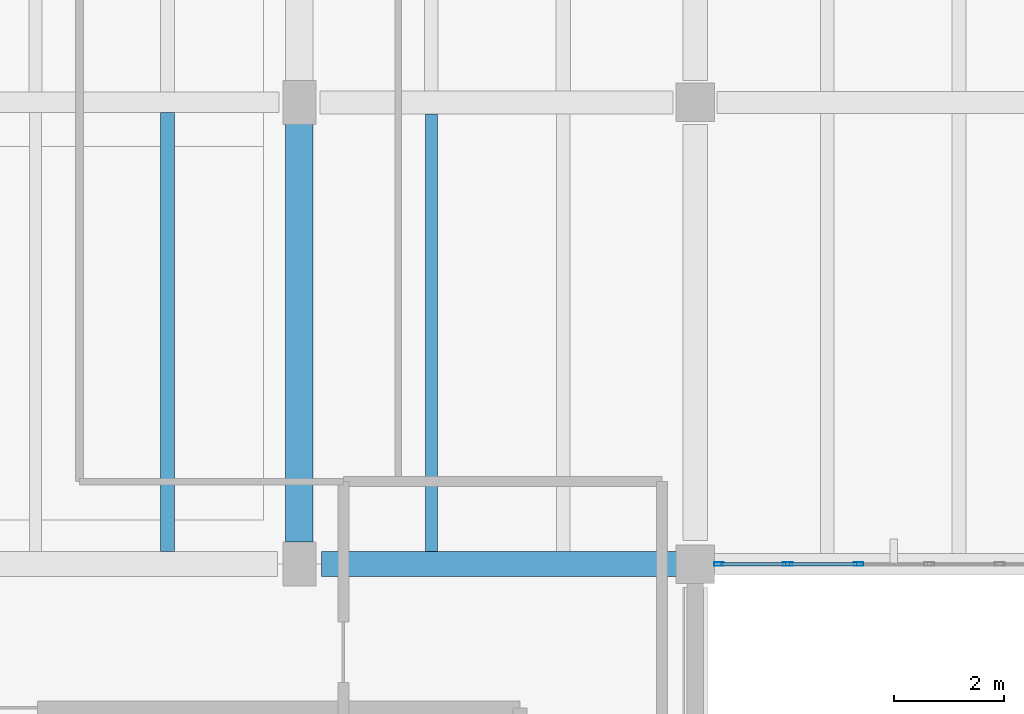
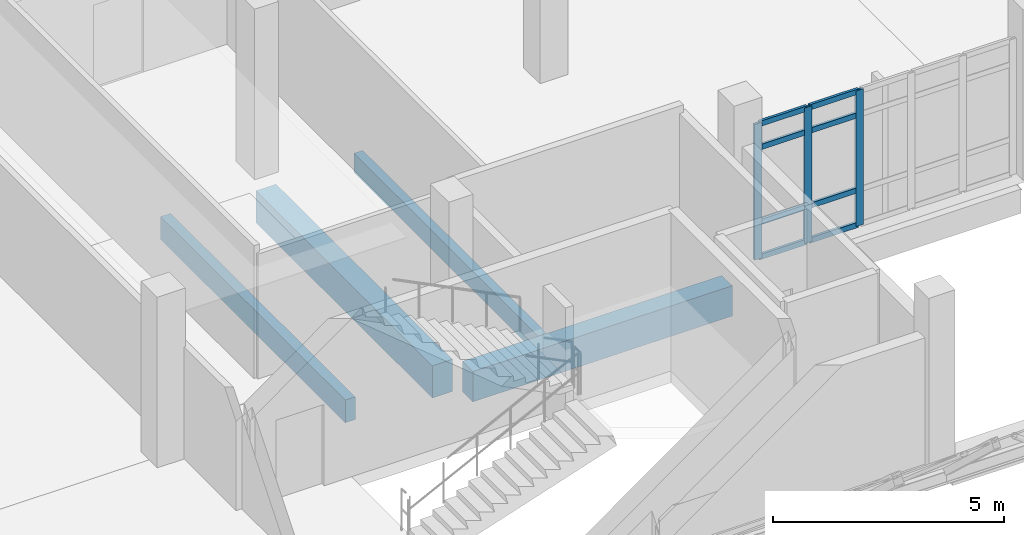
# One storey, part 40 of 87: 11 members, 4 beams, 1 element without a shape of its own.
"""IFC4 building model written with IfcOpenShell, lengths in metres."""

from ifc_helpers import new_model, si_unit, direction, frame, origin, origin_2d, place, context, subcontext, project, spatial, rectangle, hollow_rectangle, extrude, material, material_profile, profile_set, type_object, element, aggregate, save


model = new_model("IFC4")

# Units and contexts
model_context = context("Model", 3, precision=1e-05, world=origin(), true_north=direction((0.0, 1.0)))
body_context = subcontext(model_context, "Body", "Model", "MODEL_VIEW")
ifc_project = project(units=[si_unit("LENGTHUNIT", "METRE"), si_unit("AREAUNIT", "SQUARE_METRE"), si_unit("VOLUMEUNIT", "CUBIC_METRE"), si_unit("PLANEANGLEUNIT", "RADIAN"), si_unit("MASSUNIT", "GRAM", prefix="KILO")], contexts=[model_context])

# Site, building, storey
site_placement = place(None, origin())
site = spatial("IfcSite", under=ifc_project, at=site_placement, CompositionType="ELEMENT")
building_placement = place(site_placement, origin())
building = spatial("IfcBuilding", under=site, at=building_placement, Name="Kalluvel Institute of Natural Sciences", CompositionType="ELEMENT")
storey_placement = place(building_placement, frame((0.0, 0.0, 18.89990234375)))
storey = spatial("IfcBuildingStorey", under=building, at=storey_placement, Name="L04", CompositionType="ELEMENT", Elevation=18.89990234375)

# Beams
ifc_material_1 = material(Name="Concrete M40", Category="concrete")
ifc_material_profile_1 = material_profile(ifc_material_1, rectangle(XDim=0.449951171875, YDim=0.800048828125, at=origin_2d()), Name="RCB 450x800")
ifc_profile_set_1 = profile_set([ifc_material_profile_1], Name="Concrete M40")
beam_type_1 = type_object("IfcBeamType", Name="BM-RC450x800", PredefinedType="BEAM", material=ifc_profile_set_1)
beam_1_placement = place(storey_placement, frame((50.39990234375, 102.800048828125, -0.719970703125), z_axis=(1.0, 0.0, 0.0), x_axis=(0.0, 1.0, 0.0)))
element("IfcBeam", 1, at=beam_1_placement, inside=storey, type_object=beam_type_1, Name="L04 girder GIR-L04-EW-X500-Y1028", PredefinedType="BEAM", context=body_context, shape_type="SweptSolid", body=[
    extrude(rectangle(XDim=0.449951171875, YDim=0.800048828125, at=origin_2d()), origin(), (0.0, 0.0, 1.0), 6.47509765625),
])
ifc_material_2 = material(Name="Concrete M50", Category="concrete")
ifc_material_profile_2 = material_profile(ifc_material_2, rectangle(XDim=0.5, YDim=0.85009765625, at=origin_2d()), Name="RCB 500x850")
ifc_profile_set_2 = profile_set([ifc_material_profile_2], Name="Concrete M50")
beam_type_2 = type_object("IfcBeamType", Name="BM-RC500x850", PredefinedType="BEAM", material=ifc_profile_set_2)
beam_2_placement = place(storey_placement, frame((50.0, 103.199951171875, -0.744873046875), z_axis=(0.0, 1.0, 0.0), x_axis=(-1.0, 0.0, 0.0)))
element("IfcBeam", 2, at=beam_2_placement, inside=storey, type_object=beam_type_2, Name="L04 girder GIR-L04-NS-X500-Y1028", PredefinedType="BEAM", context=body_context, shape_type="SweptSolid", body=[
    extrude(rectangle(XDim=0.5, YDim=0.85009765625, at=origin_2d()), origin(), (0.0, 0.0, 1.0), 7.625),
])

# Curtain wall, members
ifc_material_3 = material(Name="Aluminium AW-6063 T6", Category="aluminium")
curtain_wall_type = type_object("IfcCurtainWallType", Name="CW-WET-45", PredefinedType="USERDEFINED", material=ifc_material_3)
curtain_wall_placement = place(storey_placement, origin())
curtain_wall = element("IfcCurtainWall", 3, at=curtain_wall_placement, inside=storey, type_object=curtain_wall_type, Name="L04 Gothic lancet curtain wall CWA-L04-X576-Y1028", ObjectType="UNITISED LANCET FACADE", PredefinedType="USERDEFINED")
ifc_material_profile_3 = material_profile(ifc_material_3, hollow_rectangle(XDim=0.06494140625, YDim=0.179931640625, WallThickness=0.00439453125, at=origin_2d()), Name="CWM 65x180")
ifc_profile_set_3 = profile_set([ifc_material_profile_3], Name="Aluminium AW-6063 T6")
member_type_1 = type_object("IfcMemberType", Name="CWM-65x180", PredefinedType="MULLION", material=ifc_profile_set_3)
member_1_placement = place(storey_placement, frame((57.632568359375, 102.800048828125, 0.0), z_axis=(0.0, 0.0, 1.0), x_axis=(0.0, 1.0, 0.0)))
member_1 = element("IfcMember", 4, at=member_1_placement, type_object=member_type_1, Name="CW-01 mullion 1", PredefinedType="MULLION", context=body_context, shape_type="SweptSolid", body=[
    extrude(hollow_rectangle(XDim=0.06494140625, YDim=0.179931640625, WallThickness=0.00439453125, at=origin_2d()), origin(), (0.0, 0.0, 1.0), 3.580078125),
])
member_2_placement = place(storey_placement, frame((58.885009765625, 102.800048828125, 0.0), z_axis=(0.0, 0.0, 1.0), x_axis=(0.0, 1.0, 0.0)))
member_2 = element("IfcMember", 5, at=member_2_placement, type_object=member_type_1, Name="CW-01 mullion 2", PredefinedType="MULLION", context=body_context, shape_type="SweptSolid", body=[
    extrude(hollow_rectangle(XDim=0.06494140625, YDim=0.179931640625, WallThickness=0.00439453125, at=origin_2d()), origin(), (0.0, 0.0, 1.0), 3.580078125),
])
member_3_placement = place(storey_placement, frame((60.169921875, 102.800048828125, 0.0), z_axis=(0.0, 0.0, 1.0), x_axis=(0.0, 1.0, 0.0)))
member_3 = element("IfcMember", 6, at=member_3_placement, type_object=member_type_1, Name="CW-01 mullion 3", PredefinedType="MULLION", context=body_context, shape_type="SweptSolid", body=[
    extrude(hollow_rectangle(XDim=0.06494140625, YDim=0.179931640625, WallThickness=0.00439453125, at=origin_2d()), origin(), (0.0, 0.0, 1.0), 3.580078125),
])
ifc_material_profile_4 = material_profile(ifc_material_3, hollow_rectangle(XDim=0.06494140625, YDim=0.139892578125, WallThickness=0.00439453125, at=origin_2d()), Name="CWT 65x140")
ifc_profile_set_4 = profile_set([ifc_material_profile_4], Name="Aluminium AW-6063 T6")
member_type_2 = type_object("IfcMemberType", Name="CWT-65x140", PredefinedType="USERDEFINED", material=ifc_profile_set_4)
member_4_placement = place(storey_placement, frame((57.6650390625, 102.800048828125, 0.03271484375), z_axis=(1.0, 0.0, 0.0), x_axis=(0.0, 1.0, 0.0)))
member_4 = element("IfcMember", 7, at=member_4_placement, type_object=member_type_2, Name="CW-01 transom 1.1", ObjectType="TRANSOM", PredefinedType="USERDEFINED", context=body_context, shape_type="SweptSolid", body=[
    extrude(hollow_rectangle(XDim=0.06494140625, YDim=0.139892578125, WallThickness=0.00439453125, at=origin_2d()), origin(), (0.0, 0.0, 1.0), 1.1875),
])
member_5_placement = place(storey_placement, frame((57.6650390625, 102.800048828125, 0.9501953125), z_axis=(1.0, 0.0, 0.0), x_axis=(0.0, 1.0, 0.0)))
member_5 = element("IfcMember", 8, at=member_5_placement, type_object=member_type_2, Name="CW-01 transom 1.2", ObjectType="TRANSOM", PredefinedType="USERDEFINED", context=body_context, shape_type="SweptSolid", body=[
    extrude(hollow_rectangle(XDim=0.06494140625, YDim=0.139892578125, WallThickness=0.00439453125, at=origin_2d()), origin(), (0.0, 0.0, 1.0), 1.1875),
])
member_6_placement = place(storey_placement, frame((57.6650390625, 102.800048828125, 2.93017578125), z_axis=(1.0, 0.0, 0.0), x_axis=(0.0, 1.0, 0.0)))
member_6 = element("IfcMember", 9, at=member_6_placement, type_object=member_type_2, Name="CW-01 transom 1.3", ObjectType="TRANSOM", PredefinedType="USERDEFINED", context=body_context, shape_type="SweptSolid", body=[
    extrude(hollow_rectangle(XDim=0.06494140625, YDim=0.139892578125, WallThickness=0.00439453125, at=origin_2d()), origin(), (0.0, 0.0, 1.0), 1.1875),
])
member_7_placement = place(storey_placement, frame((57.6650390625, 102.800048828125, 3.547607421875), z_axis=(1.0, 0.0, 0.0), x_axis=(0.0, 1.0, 0.0)))
member_7 = element("IfcMember", 10, at=member_7_placement, type_object=member_type_2, Name="CW-01 transom 1.4", ObjectType="TRANSOM", PredefinedType="USERDEFINED", context=body_context, shape_type="SweptSolid", body=[
    extrude(hollow_rectangle(XDim=0.06494140625, YDim=0.139892578125, WallThickness=0.00439453125, at=origin_2d()), origin(), (0.0, 0.0, 1.0), 1.1875),
])
member_8_placement = place(storey_placement, frame((58.91748046875, 102.800048828125, 0.03271484375), z_axis=(1.0, 0.0, 0.0), x_axis=(0.0, 1.0, 0.0)))
member_8 = element("IfcMember", 11, at=member_8_placement, type_object=member_type_2, Name="CW-01 transom 2.1", ObjectType="TRANSOM", PredefinedType="USERDEFINED", context=body_context, shape_type="SweptSolid", body=[
    extrude(hollow_rectangle(XDim=0.06494140625, YDim=0.139892578125, WallThickness=0.00439453125, at=origin_2d()), origin(), (0.0, 0.0, 1.0), 1.219970703125),
])
member_9_placement = place(storey_placement, frame((58.91748046875, 102.800048828125, 0.9501953125), z_axis=(1.0, 0.0, 0.0), x_axis=(0.0, 1.0, 0.0)))
member_9 = element("IfcMember", 12, at=member_9_placement, type_object=member_type_2, Name="CW-01 transom 2.2", ObjectType="TRANSOM", PredefinedType="USERDEFINED", context=body_context, shape_type="SweptSolid", body=[
    extrude(hollow_rectangle(XDim=0.06494140625, YDim=0.139892578125, WallThickness=0.00439453125, at=origin_2d()), origin(), (0.0, 0.0, 1.0), 1.219970703125),
])
member_10_placement = place(storey_placement, frame((58.91748046875, 102.800048828125, 2.93017578125), z_axis=(1.0, 0.0, 0.0), x_axis=(0.0, 1.0, 0.0)))
member_10 = element("IfcMember", 13, at=member_10_placement, type_object=member_type_2, Name="CW-01 transom 2.3", ObjectType="TRANSOM", PredefinedType="USERDEFINED", context=body_context, shape_type="SweptSolid", body=[
    extrude(hollow_rectangle(XDim=0.06494140625, YDim=0.139892578125, WallThickness=0.00439453125, at=origin_2d()), origin(), (0.0, 0.0, 1.0), 1.219970703125),
])
member_11_placement = place(storey_placement, frame((58.91748046875, 102.800048828125, 3.547607421875), z_axis=(1.0, 0.0, 0.0), x_axis=(0.0, 1.0, 0.0)))
member_11 = element("IfcMember", 14, at=member_11_placement, type_object=member_type_2, Name="CW-01 transom 2.4", ObjectType="TRANSOM", PredefinedType="USERDEFINED", context=body_context, shape_type="SweptSolid", body=[
    extrude(hollow_rectangle(XDim=0.06494140625, YDim=0.139892578125, WallThickness=0.00439453125, at=origin_2d()), origin(), (0.0, 0.0, 1.0), 1.219970703125),
])
aggregate(curtain_wall, [member_1, member_2, member_3, member_4, member_5, member_6, member_7, member_8, member_9, member_10, member_11])

# Beams
ifc_material_profile_5 = material_profile(ifc_material_1, rectangle(XDim=0.219970703125, YDim=0.5, at=origin_2d()), Name="WAF 220x500")
ifc_profile_set_5 = profile_set([ifc_material_profile_5], Name="Concrete M40")
beam_type_3 = type_object("IfcBeamType", Name="WJ-220x500", PredefinedType="JOIST", material=ifc_profile_set_5)
beam_3_placement = place(storey_placement, frame((52.39990234375, 103.02490234375, -0.56982421875), z_axis=(0.0, 1.0, 0.0), x_axis=(-1.0, 0.0, 0.0)))
element("IfcBeam", 15, at=beam_3_placement, inside=storey, type_object=beam_type_3, Name="L04 waffle joist RIB-L04-0319", PredefinedType="JOIST", context=body_context, shape_type="SweptSolid", body=[
    extrude(rectangle(XDim=0.219970703125, YDim=0.5, at=origin_2d()), origin(), (0.0, 0.0, 1.0), 7.965087890625),
])
ifc_material_profile_6 = material_profile(ifc_material_1, rectangle(XDim=0.25, YDim=0.60009765625, at=origin_2d()), Name="WAF 250x600")
ifc_profile_set_6 = profile_set([ifc_material_profile_6], Name="Concrete M40")
beam_type_4 = type_object("IfcBeamType", Name="WJ-250x600", PredefinedType="JOIST", material=ifc_profile_set_6)
beam_4_placement = place(storey_placement, frame((47.60009765625, 103.02490234375, -0.619873046875), z_axis=(0.0, 1.0, 0.0), x_axis=(-1.0, 0.0, 0.0)))
element("IfcBeam", 16, at=beam_4_placement, inside=storey, type_object=beam_type_4, Name="L04 waffle joist RIB-L04-0314", PredefinedType="JOIST", context=body_context, shape_type="SweptSolid", body=[
    extrude(rectangle(XDim=0.25, YDim=0.60009765625, at=origin_2d()), origin(), (0.0, 0.0, 1.0), 7.985107421875),
])

save(model, "model.ifc")
